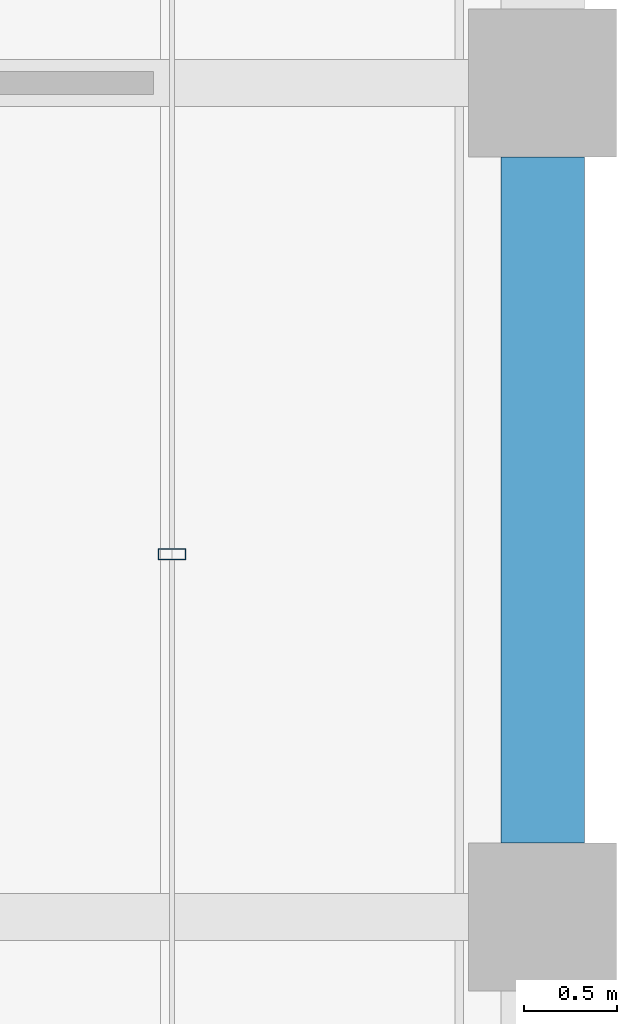
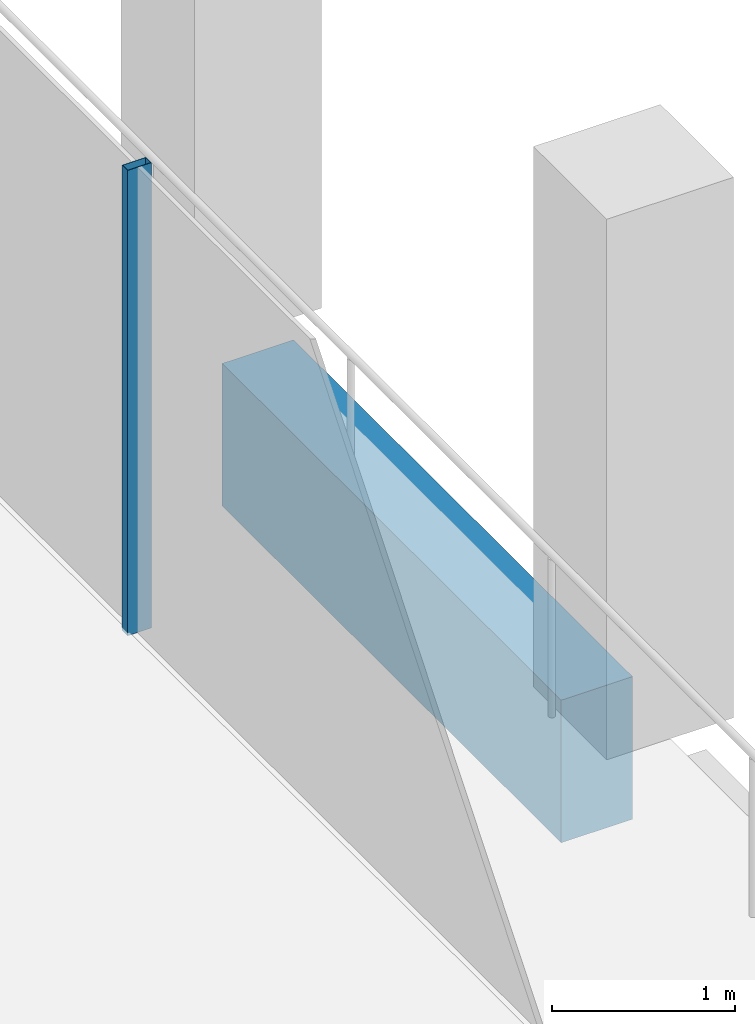
# One storey, part 17 of 30: 1 beam, 1 member, 1 element without a shape of its own.
"""IFC4 building model written with IfcOpenShell, lengths in metres."""

from ifc_helpers import new_model, si_unit, direction, frame, origin, origin_2d, place, context, subcontext, project, spatial, rectangle, hollow_rectangle, extrude, material, material_profile, profile_set, type_object, element, aggregate, save


model = new_model("IFC4")

# Units and contexts
model_context = context("Model", 3, precision=1e-05, world=origin(), true_north=direction((0.0, 1.0)))
body_context = subcontext(model_context, "Body", "Model", "MODEL_VIEW")
ifc_project = project(units=[si_unit("LENGTHUNIT", "METRE"), si_unit("AREAUNIT", "SQUARE_METRE"), si_unit("VOLUMEUNIT", "CUBIC_METRE"), si_unit("PLANEANGLEUNIT", "RADIAN"), si_unit("MASSUNIT", "GRAM", prefix="KILO")], contexts=[model_context])

# Site, building, storey
site_placement = place(None, origin())
site = spatial("IfcSite", under=ifc_project, at=site_placement, CompositionType="ELEMENT")
building_placement = place(site_placement, origin())
building = spatial("IfcBuilding", under=site, at=building_placement, Name="Altepetl Exchange Towers", CompositionType="ELEMENT")
storey_placement = place(building_placement, frame((0.0, 0.0, 228.0)))
storey = spatial("IfcBuildingStorey", under=building, at=storey_placement, Name="L58", CompositionType="ELEMENT", Elevation=228.0)

# Curtain wall, member
ifc_material_1 = material(Name="Aluminium 6063-T6 glazing", Category="aluminium")
curtain_wall_type = type_object("IfcCurtainWallType", Name="Loggia glazing system", PredefinedType="NOTDEFINED", material=ifc_material_1)
curtain_wall_placement = place(storey_placement, origin())
curtain_wall = element("IfcCurtainWall", 1, at=curtain_wall_placement, inside=storey, type_object=curtain_wall_type, Name="CW1 run", PredefinedType="NOTDEFINED")
ifc_material_2 = material(Name="Aluminium 6063-T6", Category="aluminium")
ifc_material_profile_1 = material_profile(ifc_material_2, hollow_rectangle(XDim=0.06005859375, YDim=0.14990234375, WallThickness=0.0029296875, at=origin_2d()), Name="Mullion 60x150 aluminium")
ifc_profile_set_1 = profile_set([ifc_material_profile_1], Name="Aluminium 6063-T6")
member_type = type_object("IfcMemberType", Name="Mullion 60x150 aluminium", PredefinedType="MULLION", material=ifc_profile_set_1)
member_placement = place(storey_placement, frame((70.0, 46.9580078125, 0.0), z_axis=(0.0, 0.0, 1.0), x_axis=(0.0, 1.0, 0.0)))
member = element("IfcMember", 2, at=member_placement, type_object=member_type, Name="MU1 mullion", PredefinedType="MULLION", context=body_context, shape_type="SweptSolid", body=[
    extrude(hollow_rectangle(XDim=0.06005859375, YDim=0.14990234375, WallThickness=0.0029296875, at=origin_2d()), origin(), (0.0, 0.0, 1.0), 3.10009765625),
])
aggregate(curtain_wall, [member])

# Beam
ifc_material_3 = material(Name="Concrete C50/60 precast with cantera amarilla facing", Category="concrete")
ifc_material_profile_2 = material_profile(ifc_material_3, rectangle(XDim=0.449951171875, YDim=0.949951171875, at=origin_2d()), Name="450 x 950")
ifc_profile_set_2 = profile_set([ifc_material_profile_2], Name="Concrete C50/60 precast with cantera amarilla facing")
beam_type = type_object("IfcBeamType", Name="Spandrel beam 450x950 cantera amarilla", PredefinedType="SPANDREL", material=ifc_profile_set_2)
beam_placement = place(storey_placement, frame((72.0, 45.39990234375, -0.625), z_axis=(0.0, 1.0, 0.0), x_axis=(-1.0, 0.0, 0.0)))
element("IfcBeam", 3, at=beam_placement, inside=storey, type_object=beam_type, Name="sp:A:L58:015", PredefinedType="SPANDREL", context=body_context, shape_type="SweptSolid", body=[
    extrude(rectangle(XDim=0.449951171875, YDim=0.949951171875, at=origin_2d()), origin(), (0.0, 0.0, 1.0), 3.7001953125),
])

save(model, "model.ifc")
